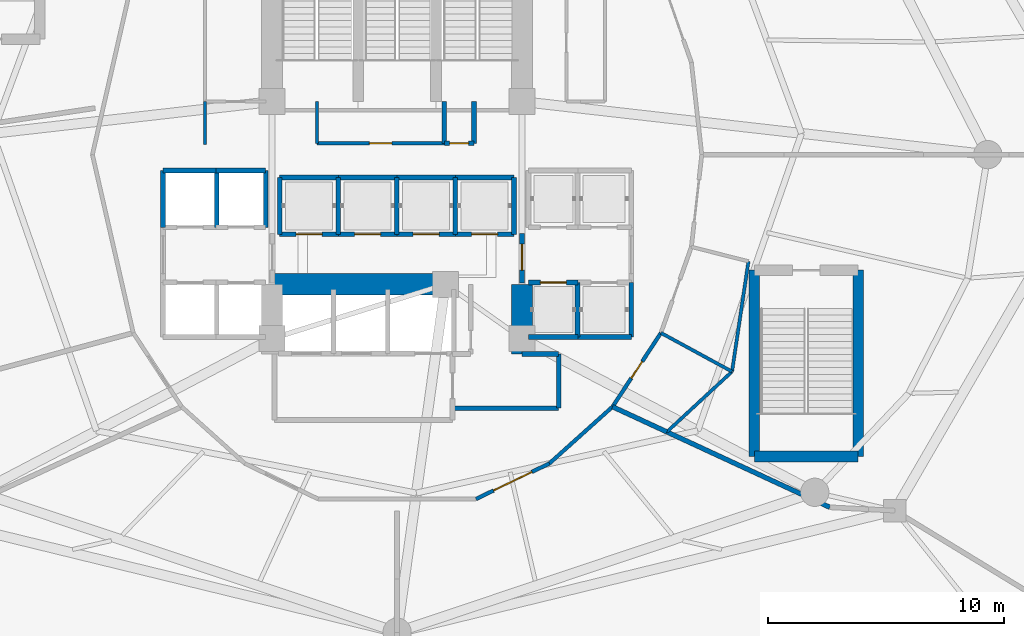
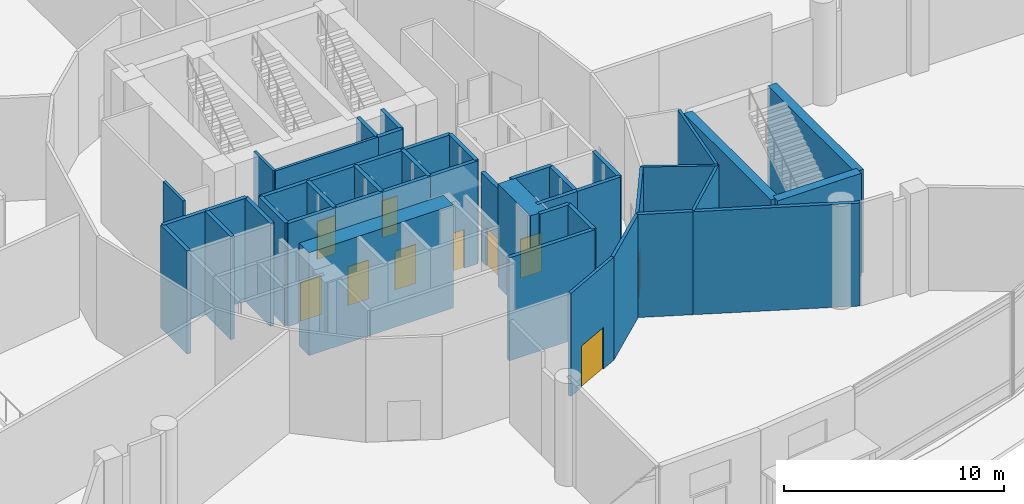
# One storey, part 32 of 40: 46 walls, 10 doors, 10 openings.
"""IFC4 building model written with IfcOpenShell, lengths in metres."""

from ifc_helpers import new_model, si_unit, direction, frame, frame_2d, origin, place, context, subcontext, project, spatial, rectangle, extrude, material, layer, layer_set, type_object, element, fill, save


model = new_model("IFC4")

# Units and contexts
model_context = context("Model", 3, precision=1e-05, world=origin(), true_north=direction((0.0, 1.0)))
body_context = subcontext(model_context, "Body", "Model", "MODEL_VIEW")
ifc_project = project(units=[si_unit("LENGTHUNIT", "METRE"), si_unit("AREAUNIT", "SQUARE_METRE"), si_unit("VOLUMEUNIT", "CUBIC_METRE"), si_unit("PLANEANGLEUNIT", "RADIAN"), si_unit("MASSUNIT", "GRAM", prefix="KILO")], contexts=[model_context])

# Site, building, storey
site_placement = place(None, origin())
site = spatial("IfcSite", under=ifc_project, at=site_placement, CompositionType="ELEMENT")
building_placement = place(site_placement, origin())
building = spatial("IfcBuilding", under=site, at=building_placement, Name="Nuhasar Tower", CompositionType="ELEMENT")
storey_placement = place(building_placement, origin())
storey = spatial("IfcBuildingStorey", under=building, at=storey_placement, Name="L00", CompositionType="ELEMENT", Elevation=0.0)

# Walls
ifc_material_1 = material(Name="Concrete C50/60", Category="concrete")
ifc_layer_1 = layer(ifc_material_1, 0.449951171875)
ifc_layer_set_1 = layer_set([ifc_layer_1], Name="Concrete C50/60")
wall_type_1 = type_object("IfcWallType", Name="WL-CORE-450", PredefinedType="SHEAR", material=ifc_layer_set_1)
wall_1_placement = place(storey_placement, frame((54.14990234375, 14.0, 0.0), z_axis=(0.0, 0.0, 1.0), x_axis=(1.0, 0.0, 0.0)))
element("IfcWall", 1, at=wall_1_placement, inside=storey, type_object=wall_type_1, Name="L00 Stairwell Shear Wall ST-05-S", PredefinedType="SHEAR", context=body_context, shape_type="SweptSolid", body=[
    extrude(rectangle(XDim=4.400146484375, YDim=0.449951171875, at=frame_2d((2.2001953125, 0.0))), origin(), (0.0, 0.0, 1.0), 5.699951171875),
])
for number, where, z_axis, x_axis, name in (
    (2, (54.14990234375, 14.0, 0.0), (0.0, 0.0, 1.0), (0.0, 1.0, 0.0), "L00 Stairwell Shear Wall ST-05-W"),
    (3, (58.550048828125, 14.0, 0.0), (0.0, 0.0, 1.0), (0.0, 1.0, 0.0), "L00 Stairwell Shear Wall ST-05-E"),
):
    element("IfcWall", number, at=place(storey_placement, frame(where, z_axis=z_axis, x_axis=x_axis)), inside=storey, type_object=wall_type_1, Name=name, PredefinedType="SHEAR", context=body_context, shape_type="SweptSolid", body=[
        extrude(rectangle(XDim=7.89990234375, YDim=0.449951171875, at=frame_2d((3.949951171875, 0.0))), origin(), (0.0, 0.0, 1.0), 5.699951171875),
    ])
ifc_material_2 = material(Name="Concrete C80/95", Category="concrete")
ifc_layer_2 = layer(ifc_material_2, 0.89990234375)
ifc_layer_set_2 = layer_set([ifc_layer_2], Name="Concrete C80/95")
wall_type_2 = type_object("IfcWallType", Name="WL-CORE-900", PredefinedType="SHEAR", material=ifc_layer_set_2)
wall_2_placement = place(storey_placement, frame((44.300048828125, 18.35009765625, 0.0), z_axis=(0.0, 0.0, 1.0), x_axis=(0.0, 1.0, 0.0)))
element("IfcWall", 4, at=wall_2_placement, inside=storey, type_object=wall_type_2, Name="L00 Core Shear Wall CW-SE CW-900", PredefinedType="SHEAR", context=body_context, shape_type="SweptSolid", body=[
    extrude(rectangle(XDim=2.949951171875, YDim=0.89990234375, at=frame_2d((1.47509765625, 0.0))), origin(), (0.0, 0.0, 1.0), 5.699951171875),
])
wall_3_placement = place(storey_placement, frame((33.699951171875, 21.300048828125, 0.0), z_axis=(0.0, 0.0, 1.0), x_axis=(1.0, 0.0, 0.0)))
element("IfcWall", 5, at=wall_3_placement, inside=storey, type_object=wall_type_2, Name="L00 Core Shear Wall CW-S1 CW-900", PredefinedType="SHEAR", context=body_context, shape_type="SweptSolid", body=[
    extrude(rectangle(XDim=7.550048828125, YDim=0.89990234375, at=frame_2d((3.77490234375, 0.0))), origin(), (0.0, 0.0, 1.0), 5.699951171875),
])

# Wall, opening, door
ifc_material_3 = material(Name="Gypsum Board", Category="gypsum")
ifc_layer_3 = layer(ifc_material_3, 0.159912109375)
ifc_layer_set_3 = layer_set([ifc_layer_3], Name="Gypsum Board")
wall_type_3 = type_object("IfcWallType", Name="WL-CORR-160", PredefinedType="PARTITIONING", material=ifc_layer_set_3)
wall_4_placement = place(storey_placement, frame((45.4599609375, 13.7060546875, 0.0), z_axis=(0.0, 0.0, 1.0), x_axis=(-0.899789784655, -0.436323668199, 0.0)))
wall_4 = element("IfcWall", 6, at=wall_4_placement, inside=storey, type_object=wall_type_3, Name="L00 Interior Partition CORR-38", PredefinedType="PARTITIONING", context=body_context, shape_type="SweptSolid", body=[
    extrude(rectangle(XDim=3.462890625, YDim=0.159912109375, at=frame_2d((1.7314453125, 0.0))), origin(), (0.0, 0.0, 1.0), 5.699951171875),
])
opening_1_placement = place(wall_4_placement, frame((0.83203125, 0.0, 0.0)))
opening_1 = element("IfcOpeningElement", 7, at=opening_1_placement, cuts=wall_4, Name="Opening DB-02", PredefinedType="OPENING", context=body_context, shape_type="SweptSolid", body=[
    extrude(rectangle(XDim=1.800048828125, YDim=2.300048828125, at=frame_2d((0.89990234375, 1.14990234375))), frame((0.0, 0.08984375, 0.0), z_axis=(0.0, -1.0, 0.0), x_axis=(1.0, 0.0, 0.0)), (0.0, 0.0, 1.0), 0.179931640625),
])
ifc_material_4 = material(Name="Aluminium 6063-T6", Category="aluminium")
door_type_1 = type_object("IfcDoorType", Name="DR-BALL-FD60-1800", OperationType="DOUBLE_DOOR_SINGLE_SWING", PredefinedType="DOOR", material=ifc_material_4)
door_1_placement = place(opening_1_placement, origin())
door_1 = element("IfcDoor", 8, at=door_1_placement, inside=storey, type_object=door_type_1, Name="L00 Signature Waterfront Cafe Door", OperationType="DOUBLE_DOOR_SINGLE_SWING", OverallHeight=2.300048828125, OverallWidth=1.800048828125, PredefinedType="DOOR", context=body_context, shape_type="SweptSolid", body=[
    extrude(rectangle(XDim=1.800048828125, YDim=2.300048828125, at=frame_2d((0.89990234375, 1.14990234375))), frame((0.0, 0.02490234375, 0.0), z_axis=(0.0, -1.0, 0.0), x_axis=(1.0, 0.0, 0.0)), (0.0, 0.0, 1.0), 0.050048828125),
])
fill(opening_1, door_1)

# Wall
wall_5_placement = place(storey_placement, frame((45.4599609375, 13.7060546875, 0.0), z_axis=(0.0, 0.0, 1.0), x_axis=(0.744066617248, 0.668105432621, 0.0)))
element("IfcWall", 9, at=wall_5_placement, inside=storey, type_object=wall_type_3, Name="L00 Interior Partition CORR-40", PredefinedType="PARTITIONING", context=body_context, shape_type="SweptSolid", body=[
    extrude(rectangle(XDim=3.596435546875, YDim=0.159912109375, at=frame_2d((1.79833984375, 0.0))), origin(), (0.0, 0.0, 1.0), 5.699951171875),
])

# Wall, opening, door
wall_6_placement = place(storey_placement, frame((50.18896484375, 19.239990234375, 0.0), z_axis=(0.0, 0.0, 1.0), x_axis=(-0.548318837904, -0.836269365694, 0.0)))
wall_6 = element("IfcWall", 10, at=wall_6_placement, inside=storey, type_object=wall_type_3, Name="L00 Interior Partition CORR-42", PredefinedType="PARTITIONING", context=body_context, shape_type="SweptSolid", body=[
    extrude(rectangle(XDim=3.744140625, YDim=0.159912109375, at=frame_2d((1.8720703125, 0.0))), origin(), (0.0, 0.0, 1.0), 5.699951171875),
])
opening_2_placement = place(wall_6_placement, frame((1.447021484375, 0.0, 0.0)))
opening_2 = element("IfcOpeningElement", 11, at=opening_2_placement, cuts=wall_6, Name="Opening DB-01", PredefinedType="OPENING", context=body_context, shape_type="SweptSolid", body=[
    extrude(rectangle(XDim=0.85009765625, YDim=2.10009765625, at=frame_2d((0.425048828125, 1.050048828125))), frame((0.0, 0.08984375, 0.0), z_axis=(0.0, -1.0, 0.0), x_axis=(1.0, 0.0, 0.0)), (0.0, 0.0, 1.0), 0.179931640625),
])
ifc_material_5 = material(Name="Timber Oak", Category="wood")
door_type_2 = type_object("IfcDoorType", Name="DR-BATH-850", OperationType="NOTDEFINED", PredefinedType="DOOR", material=ifc_material_5)
door_2_placement = place(opening_2_placement, origin())
door_2 = element("IfcDoor", 12, at=door_2_placement, inside=storey, type_object=door_type_2, Name="L00 Public Restroom Door", OperationType="SINGLE_SWING_RIGHT", OverallHeight=2.10009765625, OverallWidth=0.85009765625, PredefinedType="DOOR", context=body_context, shape_type="SweptSolid", body=[
    extrude(rectangle(XDim=0.85009765625, YDim=2.10009765625, at=frame_2d((0.425048828125, 1.050048828125))), frame((0.0, 0.02490234375, 0.0), z_axis=(0.0, -1.0, 0.0), x_axis=(1.0, 0.0, 0.0)), (0.0, 0.0, 1.0), 0.050048828125),
])
fill(opening_2, door_2)

ifc_material_6 = material(Name="Concrete C45/55", Category="concrete")
ifc_layer_4 = layer(ifc_material_6, 0.199951171875)
ifc_layer_set_4 = layer_set([ifc_layer_4], Name="Concrete C45/55")
wall_type_4 = type_object("IfcWallType", Name="WL-LOBBY-200", PredefinedType="SOLIDWALL", material=ifc_layer_set_4)
wall_7_placement = place(storey_placement, frame((44.300048828125, 23.449951171875, 0.0), z_axis=(0.0, 0.0, 1.0), x_axis=(0.0, -1.0, 0.0)))
wall_7 = element("IfcWall", 13, at=wall_7_placement, inside=storey, type_object=wall_type_4, Name="L00 Interior Partition LLBH-E", PredefinedType="SOLIDWALL", context=body_context, shape_type="SweptSolid", body=[
    extrude(rectangle(XDim=2.099853515625, YDim=0.199951171875, at=frame_2d((1.0498046875, 0.0))), origin(), (0.0, 0.0, 1.0), 4.919921875),
])
opening_3_placement = place(wall_7_placement, frame((0.449951171875, 0.0, 0.0)))
opening_3 = element("IfcOpeningElement", 14, at=opening_3_placement, cuts=wall_7, Name="Opening DS-02", PredefinedType="OPENING", context=body_context, shape_type="SweptSolid", body=[
    extrude(rectangle(XDim=1.10009765625, YDim=2.14990234375, at=frame_2d((0.550048828125, 1.074951171875))), frame((0.0, 0.10986328125, 0.0), z_axis=(0.0, -1.0, 0.0), x_axis=(1.0, 0.0, 0.0)), (0.0, 0.0, 1.0), 0.219970703125),
])
ifc_material_7 = material(Name="Steel S355", Category="steel")
door_type_3 = type_object("IfcDoorType", Name="DR-FFL-FD120-1100", OperationType="NOTDEFINED", PredefinedType="DOOR", material=ifc_material_7)
door_3_placement = place(opening_3_placement, origin())
door_3 = element("IfcDoor", 15, at=door_3_placement, inside=storey, type_object=door_type_3, Name="L00 High-Rise Lobby East Door", OperationType="SINGLE_SWING_LEFT", OverallHeight=2.14990234375, OverallWidth=1.10009765625, PredefinedType="DOOR", context=body_context, shape_type="SweptSolid", body=[
    extrude(rectangle(XDim=1.10009765625, YDim=2.14990234375, at=frame_2d((0.550048828125, 1.074951171875))), frame((0.0, 0.02490234375, 0.0), z_axis=(0.0, -1.0, 0.0), x_axis=(1.0, 0.0, 0.0)), (0.0, 0.0, 1.0), 0.050048828125),
])
fill(opening_3, door_3)

# Walls
wall_8_placement = place(storey_placement, frame((41.35009765625, 16.050048828125, 0.0), z_axis=(0.0, 0.0, 1.0), x_axis=(1.0, 0.0, 0.0)))
element("IfcWall", 16, at=wall_8_placement, inside=storey, type_object=wall_type_4, Name="L00 Interior Partition SVLV-S", PredefinedType="SOLIDWALL", context=body_context, shape_type="SweptSolid", body=[
    extrude(rectangle(XDim=4.5, YDim=0.199951171875, at=frame_2d((2.25, 0.0))), origin(), (0.0, 0.0, 1.0), 5.699951171875),
])
wall_9_placement = place(storey_placement, frame((45.85009765625, 16.050048828125, 0.0), z_axis=(0.0, 0.0, 1.0), x_axis=(0.0, 1.0, 0.0)))
element("IfcWall", 17, at=wall_9_placement, inside=storey, type_object=wall_type_4, Name="L00 Interior Partition SVLV-E", PredefinedType="SOLIDWALL", context=body_context, shape_type="SweptSolid", body=[
    extrude(rectangle(XDim=2.300048828125, YDim=0.199951171875, at=frame_2d((1.14990234375, 0.0))), origin(), (0.0, 0.0, 1.0), 5.699951171875),
])
wall_10_placement = place(storey_placement, frame((44.300048828125, 18.35009765625, 0.0), z_axis=(0.0, 0.0, 1.0), x_axis=(1.0, 0.0, 0.0)))
element("IfcWall", 18, at=wall_10_placement, inside=storey, type_object=wall_type_4, Name="L00 Interior Partition SVLV-N", PredefinedType="SOLIDWALL", context=body_context, shape_type="SweptSolid", body=[
    extrude(rectangle(XDim=1.550048828125, YDim=0.199951171875, at=frame_2d((0.77490234375, 0.0))), origin(), (0.0, 0.0, 1.0), 5.699951171875),
])
ifc_layer_5 = layer(ifc_material_6, 0.199951171875)
ifc_layer_set_5 = layer_set([ifc_layer_5], Name="Concrete C45/55")
wall_type_5 = type_object("IfcWallType", Name="WL-SHAFT-200", PredefinedType="SOLIDWALL", material=ifc_layer_set_5)
for number, where, z_axis, x_axis, name in (
    (19, (41.0, 27.280029296875, 0.0), (0.0, 0.0, 1.0), (0.0, 1.0, 0.0), "L00 Interior Partition RSRN-W"),
    (20, (42.260009765625, 27.280029296875, 0.0), (0.0, 0.0, 1.0), (0.0, 1.0, 0.0), "L00 Interior Partition RSRN-E"),
):
    element("IfcWall", number, at=place(storey_placement, frame(where, z_axis=z_axis, x_axis=x_axis)), inside=storey, type_object=wall_type_5, Name=name, PredefinedType="SOLIDWALL", context=body_context, shape_type="SweptSolid", body=[
        extrude(rectangle(XDim=1.77001953125, YDim=0.199951171875, at=frame_2d((0.885009765625, 0.0))), origin(), (0.0, 0.0, 1.0), 5.699951171875),
    ])

# Wall, opening, door
wall_11_placement = place(storey_placement, frame((41.0, 27.280029296875, 0.0), z_axis=(0.0, 0.0, 1.0), x_axis=(1.0, 0.0, 0.0)))
wall_11 = element("IfcWall", 21, at=wall_11_placement, inside=storey, type_object=wall_type_5, Name="L00 Interior Partition RSRN-S", PredefinedType="SOLIDWALL", context=body_context, shape_type="SweptSolid", body=[
    extrude(rectangle(XDim=1.260009765625, YDim=0.199951171875, at=frame_2d((0.6298828125, 0.0))), origin(), (0.0, 0.0, 1.0), 5.699951171875),
])
opening_4_placement = place(wall_11_placement, frame((0.22998046875, 0.0, 0.0)))
opening_4 = element("IfcOpeningElement", 22, at=opening_4_placement, cuts=wall_11, Name="Opening DM-01", PredefinedType="OPENING", context=body_context, shape_type="SweptSolid", body=[
    extrude(rectangle(XDim=0.800048828125, YDim=2.050048828125, at=frame_2d((0.39990234375, 1.02490234375))), frame((0.0, 0.10986328125, 0.0), z_axis=(0.0, -1.0, 0.0), x_axis=(1.0, 0.0, 0.0)), (0.0, 0.0, 1.0), 0.219970703125),
])
door_type_4 = type_object("IfcDoorType", Name="DR-RISER-FD60-800", OperationType="NOTDEFINED", PredefinedType="DOOR", material=ifc_material_7)
door_4_placement = place(opening_4_placement, origin())
door_4 = element("IfcDoor", 23, at=door_4_placement, inside=storey, type_object=door_type_4, Name="L00 North Smoke Riser Door", OperationType="SINGLE_SWING_RIGHT", OverallHeight=2.050048828125, OverallWidth=0.800048828125, PredefinedType="DOOR", context=body_context, shape_type="SweptSolid", body=[
    extrude(rectangle(XDim=0.800048828125, YDim=2.050048828125, at=frame_2d((0.39990234375, 1.02490234375))), frame((0.0, 0.02490234375, 0.0), z_axis=(0.0, -1.0, 0.0), x_axis=(1.0, 0.0, 0.0)), (0.0, 0.0, 1.0), 0.050048828125),
])
fill(opening_4, door_4)

# Walls
wall_12_placement = place(storey_placement, frame((29.070068359375, 26.1298828125, 0.0), z_axis=(0.0, 0.0, 1.0), x_axis=(1.0, 0.0, 0.0)))
element("IfcWall", 24, at=wall_12_placement, inside=storey, type_object=wall_type_5, Name="L00 Interior Partition SHF-PL-L01-N", PredefinedType="SOLIDWALL", context=body_context, shape_type="SweptSolid", body=[
    extrude(rectangle(XDim=2.309814453125, YDim=0.199951171875, at=frame_2d((1.15478515625, 0.0))), origin(), (0.0, 0.0, 1.0), 5.699951171875),
])
for number, where, z_axis, x_axis, name in (
    (25, (29.070068359375, 23.719970703125, 0.0), (0.0, 0.0, 1.0), (0.0, 1.0, 0.0), "L00 Interior Partition SHF-PL-L01-W"),
    (26, (31.35009765625, 23.719970703125, 0.0), (0.0, 0.0, 1.0), (0.0, 1.0, 0.0), "L00 Interior Partition SHF-PL-L01-E"),
):
    element("IfcWall", number, at=place(storey_placement, frame(where, z_axis=z_axis, x_axis=x_axis)), inside=storey, type_object=wall_type_5, Name=name, PredefinedType="SOLIDWALL", context=body_context, shape_type="SweptSolid", body=[
        extrude(rectangle(XDim=2.409912109375, YDim=0.199951171875, at=frame_2d((1.205078125, 0.0))), origin(), (0.0, 0.0, 1.0), 5.699951171875),
    ])
wall_13_placement = place(storey_placement, frame((31.320068359375, 26.1298828125, 0.0), z_axis=(0.0, 0.0, 1.0), x_axis=(1.0, 0.0, 0.0)))
element("IfcWall", 27, at=wall_13_placement, inside=storey, type_object=wall_type_5, Name="L00 Interior Partition SHF-PL-L02-N", PredefinedType="SOLIDWALL", context=body_context, shape_type="SweptSolid", body=[
    extrude(rectangle(XDim=2.10986328125, YDim=0.199951171875, at=frame_2d((1.054931640625, 0.0))), origin(), (0.0, 0.0, 1.0), 5.699951171875),
])
wall_14_placement = place(storey_placement, frame((33.429931640625, 23.719970703125, 0.0), z_axis=(0.0, 0.0, 1.0), x_axis=(0.0, 1.0, 0.0)))
element("IfcWall", 28, at=wall_14_placement, inside=storey, type_object=wall_type_5, Name="L00 Interior Partition SHF-PL-L02-E", PredefinedType="SOLIDWALL", context=body_context, shape_type="SweptSolid", body=[
    extrude(rectangle(XDim=2.409912109375, YDim=0.199951171875, at=frame_2d((1.205078125, 0.0))), origin(), (0.0, 0.0, 1.0), 5.699951171875),
])
wall_15_placement = place(storey_placement, frame((44.570068359375, 19.070068359375, 0.0), z_axis=(0.0, 0.0, 1.0), x_axis=(1.0, 0.0, 0.0)))
element("IfcWall", 29, at=wall_15_placement, inside=storey, type_object=wall_type_5, Name="L00 Interior Partition SHF-PL-M03-S", PredefinedType="SOLIDWALL", context=body_context, shape_type="SweptSolid", body=[
    extrude(rectangle(XDim=2.10986328125, YDim=0.199951171875, at=frame_2d((1.054931640625, 0.0))), origin(), (0.0, 0.0, 1.0), 5.699951171875),
])

# Wall, opening, door
wall_16_placement = place(storey_placement, frame((44.570068359375, 21.3798828125, 0.0), z_axis=(0.0, 0.0, 1.0), x_axis=(1.0, 0.0, 0.0)))
wall_16 = element("IfcWall", 30, at=wall_16_placement, inside=storey, type_object=wall_type_5, Name="L00 Interior Partition SHF-PL-M03-N", PredefinedType="SOLIDWALL", context=body_context, shape_type="SweptSolid", body=[
    extrude(rectangle(XDim=2.10986328125, YDim=0.199951171875, at=frame_2d((1.054931640625, 0.0))), origin(), (0.0, 0.0, 1.0), 5.699951171875),
])
opening_5_placement = place(wall_16_placement, frame((0.5048828125, 0.0, 0.0)))
opening_5 = element("IfcOpeningElement", 31, at=opening_5_placement, cuts=wall_16, Name="Opening LD-M03", PredefinedType="OPENING", context=body_context, shape_type="SweptSolid", body=[
    extrude(rectangle(XDim=1.10009765625, YDim=2.14990234375, at=frame_2d((0.550048828125, 1.074951171875))), frame((0.0, 0.10986328125, 0.0), z_axis=(0.0, -1.0, 0.0), x_axis=(1.0, 0.0, 0.0)), (0.0, 0.0, 1.0), 0.219970703125),
])
ifc_material_8 = material(Name="Stainless Steel 316L", Category="steel")
door_type_5 = type_object("IfcDoorType", Name="LD-PAX-1100", OperationType="DOUBLE_DOOR_SLIDING", PredefinedType="DOOR", material=ifc_material_8)
door_5_placement = place(opening_5_placement, origin())
door_5 = element("IfcDoor", 32, at=door_5_placement, inside=storey, type_object=door_type_5, Name="L00 Lift Landing Door PL-M03", OperationType="DOUBLE_DOOR_SLIDING", OverallHeight=2.14990234375, OverallWidth=1.10009765625, PredefinedType="DOOR", context=body_context, shape_type="SweptSolid", body=[
    extrude(rectangle(XDim=1.10009765625, YDim=2.14990234375, at=frame_2d((0.550048828125, 1.074951171875))), frame((0.0, 0.02490234375, 0.0), z_axis=(0.0, -1.0, 0.0), x_axis=(1.0, 0.0, 0.0)), (0.0, 0.0, 1.0), 0.050048828125),
])
fill(opening_5, door_5)

# Walls
for number, where, z_axis, x_axis, name in (
    (33, (46.64990234375, 19.070068359375, 0.0), (0.0, 0.0, 1.0), (0.0, 1.0, 0.0), "L00 Interior Partition SHF-PL-M03-E"),
    (34, (46.6201171875, 19.070068359375, 0.0), (0.0, 0.0, 1.0), (1.0, 0.0, 0.0), "L00 Interior Partition SHF-PL-M04-S"),
    (35, (48.929931640625, 19.070068359375, 0.0), (0.0, 0.0, 1.0), (0.0, 1.0, 0.0), "L00 Interior Partition SHF-PL-M04-E"),
):
    element("IfcWall", number, at=place(storey_placement, frame(where, z_axis=z_axis, x_axis=x_axis)), inside=storey, type_object=wall_type_5, Name=name, PredefinedType="SOLIDWALL", context=body_context, shape_type="SweptSolid", body=[
        extrude(rectangle(XDim=2.309814453125, YDim=0.199951171875, at=frame_2d((1.15478515625, 0.0))), origin(), (0.0, 0.0, 1.0), 5.699951171875),
    ])

# Wall, opening, door
wall_17_placement = place(storey_placement, frame((34.02001953125, 23.419921875, 0.0), z_axis=(0.0, 0.0, 1.0), x_axis=(1.0, 0.0, 0.0)))
wall_17 = element("IfcWall", 36, at=wall_17_placement, inside=storey, type_object=wall_type_5, Name="L00 Interior Partition SHF-PL-H01-S", PredefinedType="SOLIDWALL", context=body_context, shape_type="SweptSolid", body=[
    extrude(rectangle(XDim=2.5, YDim=0.199951171875, at=frame_2d((1.25, 0.0))), origin(), (0.0, 0.0, 1.0), 5.699951171875),
])
opening_6_placement = place(wall_17_placement, frame((0.699951171875, 0.0, 0.0)))
opening_6 = element("IfcOpeningElement", 37, at=opening_6_placement, cuts=wall_17, Name="Opening LD-H01", PredefinedType="OPENING", context=body_context, shape_type="SweptSolid", body=[
    extrude(rectangle(XDim=1.10009765625, YDim=2.14990234375, at=frame_2d((0.550048828125, 1.074951171875))), frame((0.0, 0.10986328125, 0.0), z_axis=(0.0, -1.0, 0.0), x_axis=(1.0, 0.0, 0.0)), (0.0, 0.0, 1.0), 0.219970703125),
])
door_6_placement = place(opening_6_placement, origin())
door_6 = element("IfcDoor", 38, at=door_6_placement, inside=storey, type_object=door_type_5, Name="L00 Lift Landing Door PL-H01", OperationType="DOUBLE_DOOR_SLIDING", OverallHeight=2.14990234375, OverallWidth=1.10009765625, PredefinedType="DOOR", context=body_context, shape_type="SweptSolid", body=[
    extrude(rectangle(XDim=1.10009765625, YDim=2.14990234375, at=frame_2d((0.550048828125, 1.074951171875))), frame((0.0, 0.02490234375, 0.0), z_axis=(0.0, -1.0, 0.0), x_axis=(1.0, 0.0, 0.0)), (0.0, 0.0, 1.0), 0.050048828125),
])
fill(opening_6, door_6)

# Walls
wall_18_placement = place(storey_placement, frame((34.02001953125, 25.830078125, 0.0), z_axis=(0.0, 0.0, 1.0), x_axis=(1.0, 0.0, 0.0)))
element("IfcWall", 39, at=wall_18_placement, inside=storey, type_object=wall_type_5, Name="L00 Interior Partition SHF-PL-H01-N", PredefinedType="SOLIDWALL", context=body_context, shape_type="SweptSolid", body=[
    extrude(rectangle(XDim=2.5, YDim=0.199951171875, at=frame_2d((1.25, 0.0))), origin(), (0.0, 0.0, 1.0), 5.699951171875),
])
for number, where, z_axis, x_axis, name in (
    (40, (34.02001953125, 23.419921875, 0.0), (0.0, 0.0, 1.0), (0.0, 1.0, 0.0), "L00 Interior Partition SHF-PL-H01-W"),
    (41, (36.510009765625, 23.419921875, 0.0), (0.0, 0.0, 1.0), (0.0, 1.0, 0.0), "L00 Interior Partition SHF-PL-H01-E"),
):
    element("IfcWall", number, at=place(storey_placement, frame(where, z_axis=z_axis, x_axis=x_axis)), inside=storey, type_object=wall_type_5, Name=name, PredefinedType="SOLIDWALL", context=body_context, shape_type="SweptSolid", body=[
        extrude(rectangle(XDim=2.41015625, YDim=0.199951171875, at=frame_2d((1.205078125, 0.0))), origin(), (0.0, 0.0, 1.0), 5.699951171875),
    ])

# Wall, opening, door
wall_19_placement = place(storey_placement, frame((36.5, 23.419921875, 0.0), z_axis=(0.0, 0.0, 1.0), x_axis=(1.0, 0.0, 0.0)))
wall_19 = element("IfcWall", 42, at=wall_19_placement, inside=storey, type_object=wall_type_5, Name="L00 Interior Partition SHF-PL-H02-S", PredefinedType="SOLIDWALL", context=body_context, shape_type="SweptSolid", body=[
    extrude(rectangle(XDim=2.5, YDim=0.199951171875, at=frame_2d((1.25, 0.0))), origin(), (0.0, 0.0, 1.0), 5.699951171875),
])
opening_7_placement = place(wall_19_placement, frame((0.699951171875, 0.0, 0.0)))
opening_7 = element("IfcOpeningElement", 43, at=opening_7_placement, cuts=wall_19, Name="Opening LD-H02", PredefinedType="OPENING", context=body_context, shape_type="SweptSolid", body=[
    extrude(rectangle(XDim=1.10009765625, YDim=2.14990234375, at=frame_2d((0.550048828125, 1.074951171875))), frame((0.0, 0.10986328125, 0.0), z_axis=(0.0, -1.0, 0.0), x_axis=(1.0, 0.0, 0.0)), (0.0, 0.0, 1.0), 0.219970703125),
])
door_7_placement = place(opening_7_placement, origin())
door_7 = element("IfcDoor", 44, at=door_7_placement, inside=storey, type_object=door_type_5, Name="L00 Lift Landing Door PL-H02", OperationType="DOUBLE_DOOR_SLIDING", OverallHeight=2.14990234375, OverallWidth=1.10009765625, PredefinedType="DOOR", context=body_context, shape_type="SweptSolid", body=[
    extrude(rectangle(XDim=1.10009765625, YDim=2.14990234375, at=frame_2d((0.550048828125, 1.074951171875))), frame((0.0, 0.02490234375, 0.0), z_axis=(0.0, -1.0, 0.0), x_axis=(1.0, 0.0, 0.0)), (0.0, 0.0, 1.0), 0.050048828125),
])
fill(opening_7, door_7)

# Walls
wall_20_placement = place(storey_placement, frame((36.5, 25.830078125, 0.0), z_axis=(0.0, 0.0, 1.0), x_axis=(1.0, 0.0, 0.0)))
element("IfcWall", 45, at=wall_20_placement, inside=storey, type_object=wall_type_5, Name="L00 Interior Partition SHF-PL-H02-N", PredefinedType="SOLIDWALL", context=body_context, shape_type="SweptSolid", body=[
    extrude(rectangle(XDim=2.5, YDim=0.199951171875, at=frame_2d((1.25, 0.0))), origin(), (0.0, 0.0, 1.0), 5.699951171875),
])
wall_21_placement = place(storey_placement, frame((38.989990234375, 23.419921875, 0.0), z_axis=(0.0, 0.0, 1.0), x_axis=(0.0, 1.0, 0.0)))
element("IfcWall", 46, at=wall_21_placement, inside=storey, type_object=wall_type_5, Name="L00 Interior Partition SHF-PL-H02-E", PredefinedType="SOLIDWALL", context=body_context, shape_type="SweptSolid", body=[
    extrude(rectangle(XDim=2.41015625, YDim=0.199951171875, at=frame_2d((1.205078125, 0.0))), origin(), (0.0, 0.0, 1.0), 5.699951171875),
])

# Wall, opening, door
wall_22_placement = place(storey_placement, frame((38.97998046875, 23.419921875, 0.0), z_axis=(0.0, 0.0, 1.0), x_axis=(1.0, 0.0, 0.0)))
wall_22 = element("IfcWall", 47, at=wall_22_placement, inside=storey, type_object=wall_type_5, Name="L00 Interior Partition SHF-PL-H03-S", PredefinedType="SOLIDWALL", context=body_context, shape_type="SweptSolid", body=[
    extrude(rectangle(XDim=2.5, YDim=0.199951171875, at=frame_2d((1.25, 0.0))), origin(), (0.0, 0.0, 1.0), 5.699951171875),
])
opening_8_placement = place(wall_22_placement, frame((0.699951171875, 0.0, 0.0)))
opening_8 = element("IfcOpeningElement", 48, at=opening_8_placement, cuts=wall_22, Name="Opening LD-H03", PredefinedType="OPENING", context=body_context, shape_type="SweptSolid", body=[
    extrude(rectangle(XDim=1.10009765625, YDim=2.14990234375, at=frame_2d((0.550048828125, 1.074951171875))), frame((0.0, 0.10986328125, 0.0), z_axis=(0.0, -1.0, 0.0), x_axis=(1.0, 0.0, 0.0)), (0.0, 0.0, 1.0), 0.219970703125),
])
door_8_placement = place(opening_8_placement, origin())
door_8 = element("IfcDoor", 49, at=door_8_placement, inside=storey, type_object=door_type_5, Name="L00 Lift Landing Door PL-H03", OperationType="DOUBLE_DOOR_SLIDING", OverallHeight=2.14990234375, OverallWidth=1.10009765625, PredefinedType="DOOR", context=body_context, shape_type="SweptSolid", body=[
    extrude(rectangle(XDim=1.10009765625, YDim=2.14990234375, at=frame_2d((0.550048828125, 1.074951171875))), frame((0.0, 0.02490234375, 0.0), z_axis=(0.0, -1.0, 0.0), x_axis=(1.0, 0.0, 0.0)), (0.0, 0.0, 1.0), 0.050048828125),
])
fill(opening_8, door_8)

# Walls
wall_23_placement = place(storey_placement, frame((38.97998046875, 25.830078125, 0.0), z_axis=(0.0, 0.0, 1.0), x_axis=(1.0, 0.0, 0.0)))
element("IfcWall", 50, at=wall_23_placement, inside=storey, type_object=wall_type_5, Name="L00 Interior Partition SHF-PL-H03-N", PredefinedType="SOLIDWALL", context=body_context, shape_type="SweptSolid", body=[
    extrude(rectangle(XDim=2.5, YDim=0.199951171875, at=frame_2d((1.25, 0.0))), origin(), (0.0, 0.0, 1.0), 5.699951171875),
])
wall_24_placement = place(storey_placement, frame((41.469970703125, 23.419921875, 0.0), z_axis=(0.0, 0.0, 1.0), x_axis=(0.0, 1.0, 0.0)))
element("IfcWall", 51, at=wall_24_placement, inside=storey, type_object=wall_type_5, Name="L00 Interior Partition SHF-PL-H03-E", PredefinedType="SOLIDWALL", context=body_context, shape_type="SweptSolid", body=[
    extrude(rectangle(XDim=2.41015625, YDim=0.199951171875, at=frame_2d((1.205078125, 0.0))), origin(), (0.0, 0.0, 1.0), 5.699951171875),
])

# Wall, opening, door
wall_25_placement = place(storey_placement, frame((41.4599609375, 23.419921875, 0.0), z_axis=(0.0, 0.0, 1.0), x_axis=(1.0, 0.0, 0.0)))
wall_25 = element("IfcWall", 52, at=wall_25_placement, inside=storey, type_object=wall_type_5, Name="L00 Interior Partition SHF-PL-H04-S", PredefinedType="SOLIDWALL", context=body_context, shape_type="SweptSolid", body=[
    extrude(rectangle(XDim=2.5, YDim=0.199951171875, at=frame_2d((1.25, 0.0))), origin(), (0.0, 0.0, 1.0), 5.699951171875),
])
opening_9_placement = place(wall_25_placement, frame((0.699951171875, 0.0, 0.0)))
opening_9 = element("IfcOpeningElement", 53, at=opening_9_placement, cuts=wall_25, Name="Opening LD-H04", PredefinedType="OPENING", context=body_context, shape_type="SweptSolid", body=[
    extrude(rectangle(XDim=1.10009765625, YDim=2.14990234375, at=frame_2d((0.550048828125, 1.074951171875))), frame((0.0, 0.10986328125, 0.0), z_axis=(0.0, -1.0, 0.0), x_axis=(1.0, 0.0, 0.0)), (0.0, 0.0, 1.0), 0.219970703125),
])
door_9_placement = place(opening_9_placement, origin())
door_9 = element("IfcDoor", 54, at=door_9_placement, inside=storey, type_object=door_type_5, Name="L00 Lift Landing Door PL-H04", OperationType="DOUBLE_DOOR_SLIDING", OverallHeight=2.14990234375, OverallWidth=1.10009765625, PredefinedType="DOOR", context=body_context, shape_type="SweptSolid", body=[
    extrude(rectangle(XDim=1.10009765625, YDim=2.14990234375, at=frame_2d((0.550048828125, 1.074951171875))), frame((0.0, 0.02490234375, 0.0), z_axis=(0.0, -1.0, 0.0), x_axis=(1.0, 0.0, 0.0)), (0.0, 0.0, 1.0), 0.050048828125),
])
fill(opening_9, door_9)

# Walls
wall_26_placement = place(storey_placement, frame((41.4599609375, 25.830078125, 0.0), z_axis=(0.0, 0.0, 1.0), x_axis=(1.0, 0.0, 0.0)))
element("IfcWall", 55, at=wall_26_placement, inside=storey, type_object=wall_type_5, Name="L00 Interior Partition SHF-PL-H04-N", PredefinedType="SOLIDWALL", context=body_context, shape_type="SweptSolid", body=[
    extrude(rectangle(XDim=2.5, YDim=0.199951171875, at=frame_2d((1.25, 0.0))), origin(), (0.0, 0.0, 1.0), 5.699951171875),
])
wall_27_placement = place(storey_placement, frame((43.9599609375, 23.419921875, 0.0), z_axis=(0.0, 0.0, 1.0), x_axis=(0.0, 1.0, 0.0)))
element("IfcWall", 56, at=wall_27_placement, inside=storey, type_object=wall_type_5, Name="L00 Interior Partition SHF-PL-H04-E", PredefinedType="SOLIDWALL", context=body_context, shape_type="SweptSolid", body=[
    extrude(rectangle(XDim=2.41015625, YDim=0.199951171875, at=frame_2d((1.205078125, 0.0))), origin(), (0.0, 0.0, 1.0), 5.699951171875),
])
ifc_material_9 = material(Name="Concrete C40/50 precast", Category="concrete")
ifc_layer_6 = layer(ifc_material_9, 0.199951171875)
ifc_layer_set_6 = layer_set([ifc_layer_6], Name="Concrete C40/50 precast")
wall_type_6 = type_object("IfcWallType", Name="WL-UNIT-200", PredefinedType="PARTITIONING", material=ifc_layer_set_6)
wall_28_placement = place(storey_placement, frame((48.135986328125, 16.10888671875, 0.0), z_axis=(0.0, 0.0, 1.0), x_axis=(0.907508335547, -0.420034071133, 0.0)))
element("IfcWall", 57, at=wall_28_placement, inside=storey, type_object=wall_type_6, Name="L00 Interior Partition PRAD-42-S1", PredefinedType="PARTITIONING", context=body_context, shape_type="SweptSolid", body=[
    extrude(rectangle(XDim=2.53759765625, YDim=0.199951171875, at=frame_2d((1.268798828125, 0.0))), origin(), (0.0, 0.0, 1.0), 5.699951171875),
])
wall_29_placement = place(storey_placement, frame((50.43896484375, 15.04296875, 0.0), z_axis=(0.0, 0.0, 1.0), x_axis=(0.907524397356, -0.419999366908, 0.0)))
element("IfcWall", 58, at=wall_29_placement, inside=storey, type_object=wall_type_6, Name="L00 Interior Partition PRAD-42-S2", PredefinedType="PARTITIONING", context=body_context, shape_type="SweptSolid", body=[
    extrude(rectangle(XDim=7.6142578125, YDim=0.199951171875, at=frame_2d((3.80712890625, 0.0))), origin(), (0.0, 0.0, 1.0), 5.699951171875),
])
ifc_layer_7 = layer(ifc_material_9, 0.139892578125)
ifc_layer_set_7 = layer_set([ifc_layer_7], Name="Concrete C40/50 precast")
wall_type_7 = type_object("IfcWallType", Name="WL-WET-140", PredefinedType="PARTITIONING", material=ifc_layer_set_7)
wall_30_placement = place(storey_placement, frame((35.60009765625, 27.280029296875, 0.0), z_axis=(0.0, 0.0, 1.0), x_axis=(0.0, 1.0, 0.0)))
element("IfcWall", 59, at=wall_30_placement, inside=storey, type_object=wall_type_7, Name="L00 Interior Partition CSVC-W", PredefinedType="PARTITIONING", context=body_context, shape_type="SweptSolid", body=[
    extrude(rectangle(XDim=1.77001953125, YDim=0.139892578125, at=frame_2d((0.885009765625, 0.0))), origin(), (0.0, 0.0, 1.0), 5.699951171875),
])

# Wall, opening, door
wall_31_placement = place(storey_placement, frame((35.60009765625, 27.280029296875, 0.0), z_axis=(0.0, 0.0, 1.0), x_axis=(1.0, 0.0, 0.0)))
wall_31 = element("IfcWall", 60, at=wall_31_placement, inside=storey, type_object=wall_type_7, Name="L00 Interior Partition CSVC-S", PredefinedType="PARTITIONING", context=body_context, shape_type="SweptSolid", body=[
    extrude(rectangle(XDim=5.39990234375, YDim=0.139892578125, at=frame_2d((2.699951171875, 0.0))), origin(), (0.0, 0.0, 1.0), 5.699951171875),
])
opening_10_placement = place(wall_31_placement, frame((2.22509765625, 0.0, 0.0)))
opening_10 = element("IfcOpeningElement", 61, at=opening_10_placement, cuts=wall_31, Name="Opening DA-01", PredefinedType="OPENING", context=body_context, shape_type="SweptSolid", body=[
    extrude(rectangle(XDim=0.949951171875, YDim=2.10009765625, at=frame_2d((0.47509765625, 1.050048828125))), frame((0.0, 0.080078125, 0.0), z_axis=(0.0, -1.0, 0.0), x_axis=(1.0, 0.0, 0.0)), (0.0, 0.0, 1.0), 0.159912109375),
])
door_type_6 = type_object("IfcDoorType", Name="DR-ACCWC-950", OperationType="NOTDEFINED", PredefinedType="DOOR", material=ifc_material_5)
door_10_placement = place(opening_10_placement, origin())
door_10 = element("IfcDoor", 62, at=door_10_placement, inside=storey, type_object=door_type_6, Name="L00 Core Accessible Restroom Door", OperationType="SINGLE_SWING_RIGHT", OverallHeight=2.10009765625, OverallWidth=0.949951171875, PredefinedType="DOOR", context=body_context, shape_type="SweptSolid", body=[
    extrude(rectangle(XDim=0.949951171875, YDim=2.10009765625, at=frame_2d((0.47509765625, 1.050048828125))), frame((0.0, 0.02490234375, 0.0), z_axis=(0.0, -1.0, 0.0), x_axis=(1.0, 0.0, 0.0)), (0.0, 0.0, 1.0), 0.050048828125),
])
fill(opening_10, door_10)

# Walls
wall_32_placement = place(storey_placement, frame((30.85009765625, 27.239990234375, 0.0), z_axis=(0.0, 0.0, 1.0), x_axis=(0.0, 1.0, 0.0)))
element("IfcWall", 63, at=wall_32_placement, inside=storey, type_object=wall_type_7, Name="L00 Interior Partition K3-FOY-W", PredefinedType="PARTITIONING", context=body_context, shape_type="SweptSolid", body=[
    extrude(rectangle(XDim=1.81005859375, YDim=0.139892578125, at=frame_2d((0.905029296875, 0.0))), origin(), (0.0, 0.0, 1.0), 5.699951171875),
])
wall_33_placement = place(storey_placement, frame((50.18896484375, 19.239990234375, 0.0), z_axis=(0.0, 0.0, 1.0), x_axis=(0.878392721738, -0.477939563541, 0.0)))
element("IfcWall", 64, at=wall_33_placement, inside=storey, type_object=wall_type_7, Name="L00 Interior Partition PWC-DIV1", PredefinedType="PARTITIONING", context=body_context, shape_type="SweptSolid", body=[
    extrude(rectangle(XDim=3.43115234375, YDim=0.139892578125, at=frame_2d((1.715576171875, 0.0))), origin(), (0.0, 0.0, 1.0), 5.699951171875),
])
wall_34_placement = place(storey_placement, frame((50.43896484375, 15.04296875, 0.0), z_axis=(0.0, 0.0, 1.0), x_axis=(0.734032370371, 0.679114481695, 0.0)))
element("IfcWall", 65, at=wall_34_placement, inside=storey, type_object=wall_type_7, Name="L00 Interior Partition PWC-BACK-42", PredefinedType="PARTITIONING", context=body_context, shape_type="SweptSolid", body=[
    extrude(rectangle(XDim=3.765380859375, YDim=0.139892578125, at=frame_2d((1.8828125, 0.0))), origin(), (0.0, 0.0, 1.0), 5.699951171875),
])
wall_35_placement = place(storey_placement, frame((53.202880859375, 17.60009765625, 0.0), z_axis=(0.0, 0.0, 1.0), x_axis=(0.147441370436, 0.989070797407, 0.0)))
element("IfcWall", 66, at=wall_35_placement, inside=storey, type_object=wall_type_7, Name="L00 Interior Partition PWC-BACK-44", PredefinedType="PARTITIONING", context=body_context, shape_type="SweptSolid", body=[
    extrude(rectangle(XDim=4.7275390625, YDim=0.139892578125, at=frame_2d((2.36376953125, 0.0))), origin(), (0.0, 0.0, 1.0), 5.699951171875),
])

save(model, "model.ifc")
